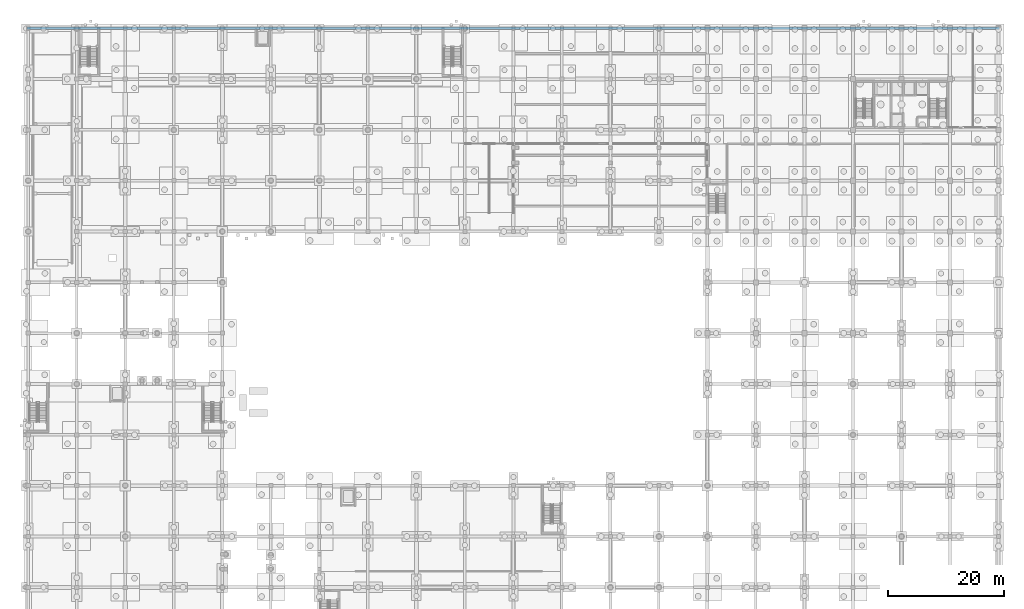
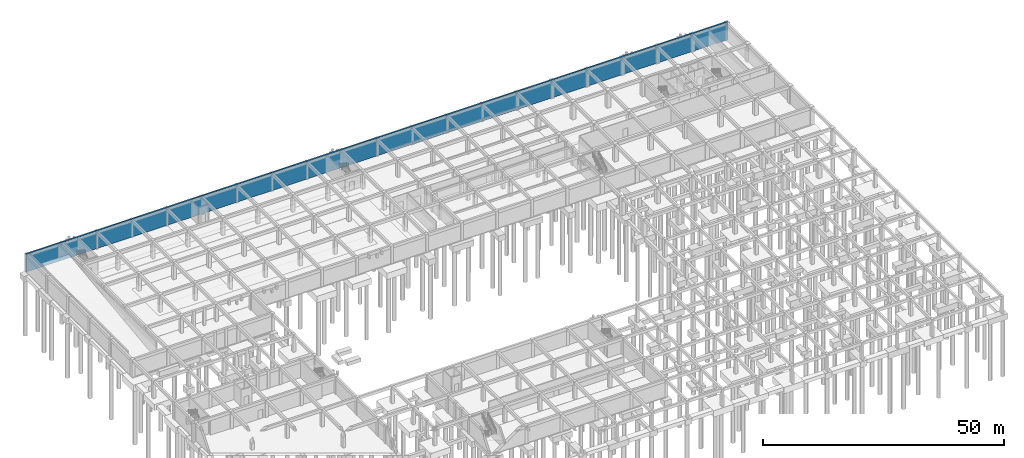
# One storey, part 28 of 41: 1 wall.
"""IFC4 building model written with IfcOpenShell, lengths in metres."""

from ifc_helpers import new_model, si_unit, direction, frame, frame_2d, origin, place, context, subcontext, project, spatial, rectangle, extrude, material, layer, layer_set, type_object, element, save


model = new_model("IFC4")

# Units and contexts
model_context = context("Model", 3, precision=1e-05, world=origin(), true_north=direction((0.0, 1.0)))
body_context = subcontext(model_context, "Body", "Model", "MODEL_VIEW")
ifc_project = project(units=[si_unit("LENGTHUNIT", "METRE"), si_unit("AREAUNIT", "SQUARE_METRE"), si_unit("VOLUMEUNIT", "CUBIC_METRE"), si_unit("PLANEANGLEUNIT", "RADIAN"), si_unit("MASSUNIT", "GRAM", prefix="KILO")], contexts=[model_context])

# Site, building, storey
site_placement = place(None, origin())
site = spatial("IfcSite", under=ifc_project, at=site_placement, CompositionType="ELEMENT")
building_placement = place(site_placement, origin())
building = spatial("IfcBuilding", under=site, at=building_placement, Name="Kemercrest Conservatory and Botanical Centre", CompositionType="ELEMENT")
storey_placement = place(building_placement, frame((0.0, 0.0, -4.5)))
storey = spatial("IfcBuildingStorey", under=building, at=storey_placement, Name="B1", CompositionType="ELEMENT", Elevation=-4.5)

# Wall
ifc_material = material(Name="Concrete C40/50", Category="concrete")
ifc_layer = layer(ifc_material, 0.39990234375)
ifc_layer_set = layer_set([ifc_layer], Name="Concrete C40/50")
wall_type = type_object("IfcWallType", Name="W-RET400", PredefinedType="USERDEFINED", material=ifc_layer_set)
wall_placement = place(storey_placement, frame((176.199951171875, 122.39990234375, 0.0), z_axis=(0.0, 0.0, 1.0), x_axis=(-1.0, 0.0, 0.0)))
element("IfcWall", 1, at=wall_placement, inside=storey, type_object=wall_type, Name="Basement perimeter retaining wall #13", ObjectType="RETAINING WALL", PredefinedType="USERDEFINED", context=body_context, shape_type="SweptSolid", body=[
    extrude(rectangle(XDim=168.39990234375, YDim=0.39990234375, at=frame_2d((84.199951171875, 0.0))), origin(), (0.0, 0.0, 1.0), 4.5),
])

save(model, "model.ifc")
